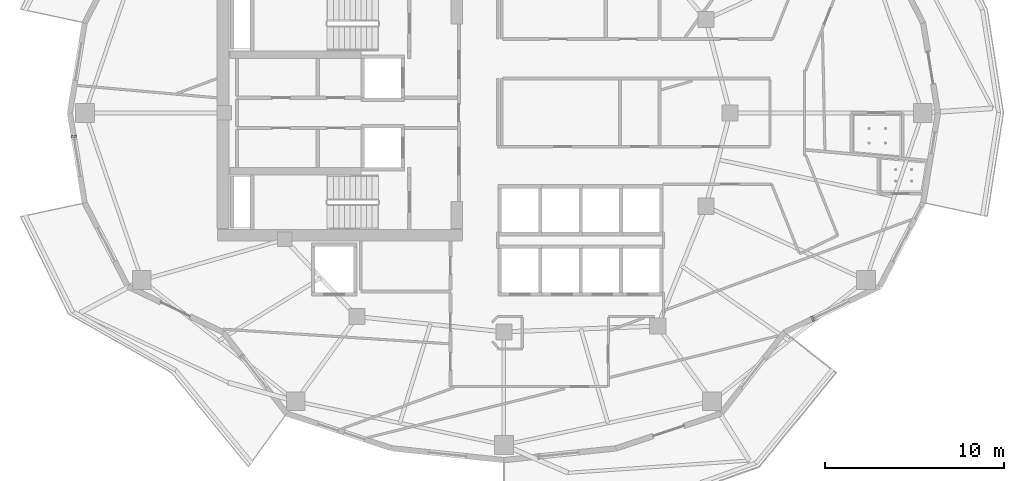
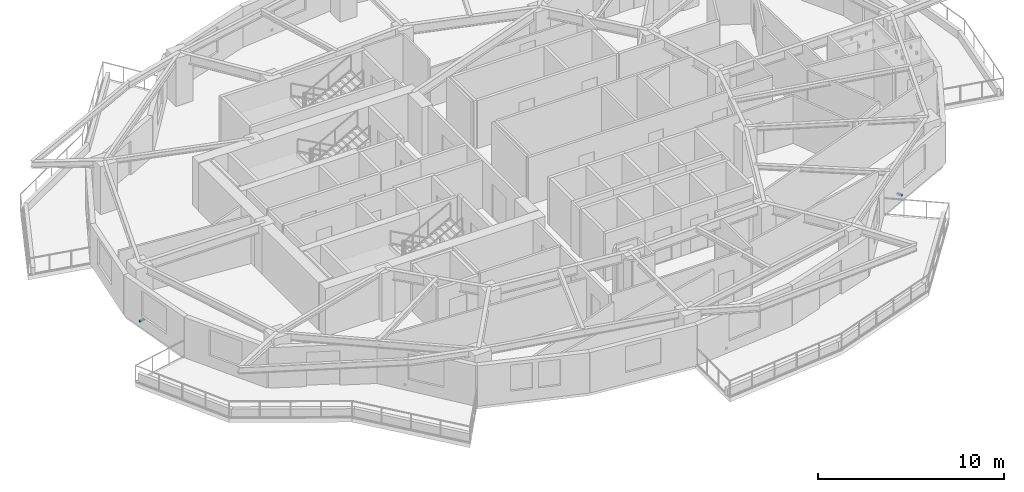
# One storey, part 8 of 14: 2 discrete accessories.
"""IFC4 building model written with IfcOpenShell, lengths in metres."""

from ifc_helpers import new_model, si_unit, direction, frame, origin, origin_2d, place, context, subcontext, project, spatial, rectangle, extrude, material, type_object, element, save


model = new_model("IFC4")

# Units and contexts
model_context = context("Model", 3, precision=1e-05, world=origin(), true_north=direction((0.0, 1.0)))
body_context = subcontext(model_context, "Body", "Model", "MODEL_VIEW")
ifc_project = project(units=[si_unit("LENGTHUNIT", "METRE"), si_unit("AREAUNIT", "SQUARE_METRE"), si_unit("VOLUMEUNIT", "CUBIC_METRE"), si_unit("PLANEANGLEUNIT", "RADIAN"), si_unit("MASSUNIT", "GRAM", prefix="KILO")], contexts=[model_context])

# Site, building, storey
site_placement = place(None, origin())
site = spatial("IfcSite", under=ifc_project, at=site_placement, CompositionType="ELEMENT")
building_placement = place(site_placement, origin())
building = spatial("IfcBuilding", under=site, at=building_placement, Name="Kolvaren Gate Tower and Convention Centre", CompositionType="ELEMENT")
storey_placement = place(building_placement, frame((0.0, 0.0, 132.5)))
storey = spatial("IfcBuildingStorey", under=building, at=storey_placement, Name="L33", CompositionType="ELEMENT", Elevation=132.5)

# Discrete accessories
ifc_material = material(Name="Anodized Architectural Aluminium Alloy 6063-T6", Category="aluminium")
discrete_accessory_type = type_object("IfcDiscreteAccessoryType", Name="ARCH-ACC-BRACKET-120", PredefinedType="BRACKET", material=ifc_material)
for number, where, z_axis, x_axis, name in (
    (1, (6.1533203125, 25.689697265625, 0.2900390625), (0.0, 0.0, 1.0), (0.162389178836, -0.986726788223, 0.0), "Ceramic Fin Wall Anchor Bracket FBK-L33-12"),
    (2, (47.329833984375, 15.527099609375, 0.2900390625), (0.0, 0.0, 1.0), (0.901362925045, 0.433064518696, 0.0), "Ceramic Fin Wall Anchor Bracket FBK-L33-21"),
):
    element("IfcDiscreteAccessory", number, at=place(storey_placement, frame(where, z_axis=z_axis, x_axis=x_axis)), inside=storey, type_object=discrete_accessory_type, Name=name, PredefinedType="BRACKET", context=body_context, shape_type="SweptSolid", body=[
        extrude(rectangle(XDim=0.1201171875, YDim=0.320068359375, at=origin_2d()), origin(), (0.0, 0.0, 1.0), 0.1201171875),
    ])

save(model, "model.ifc")
